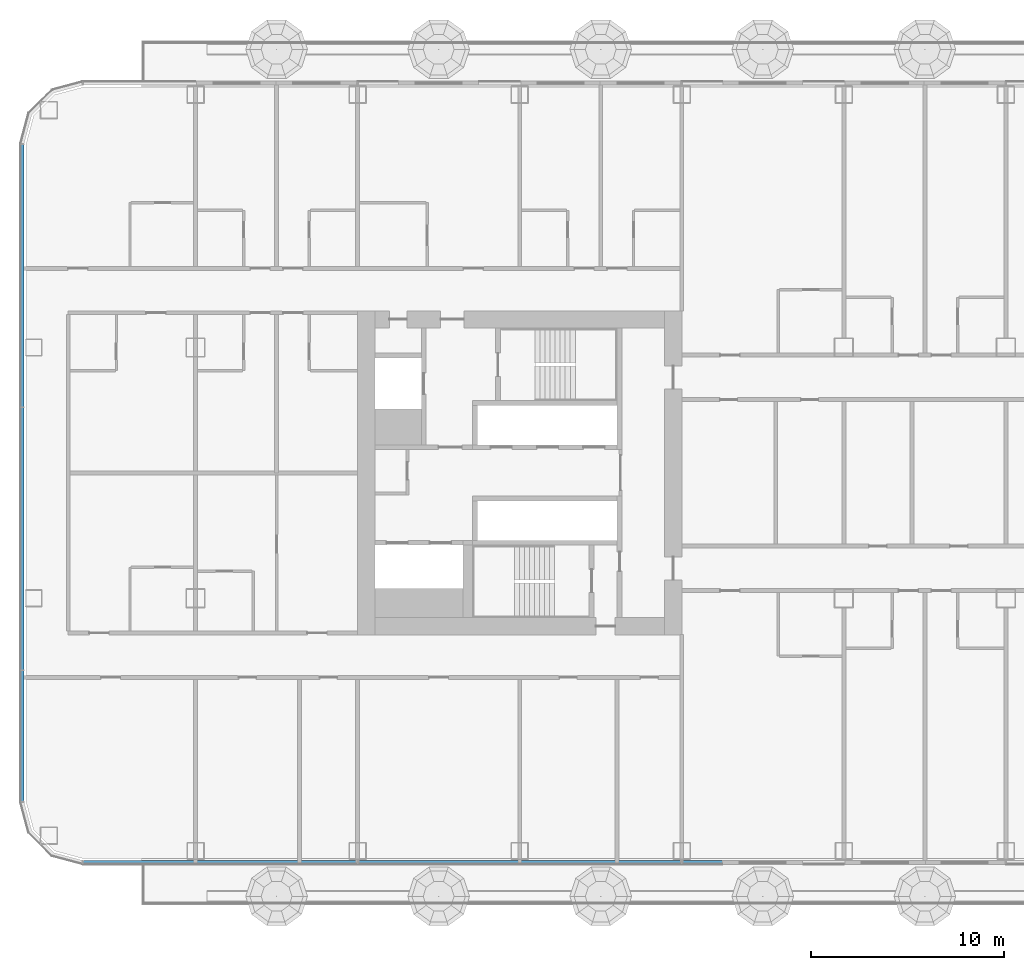
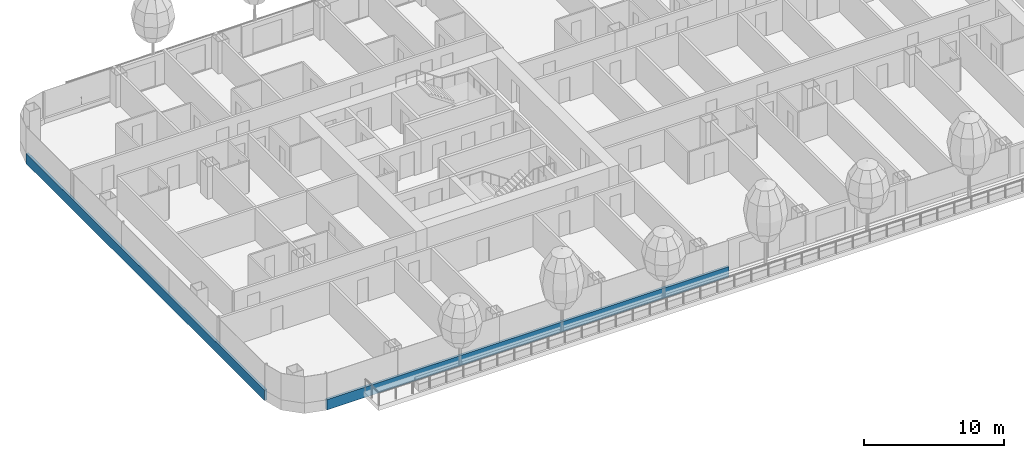
# One storey, part 3 of 36: 2 members, 2 elements without a shape of their own.
"""IFC4 building model written with IfcOpenShell, lengths in metres."""

from ifc_helpers import new_model, si_unit, direction, frame, origin, origin_2d, place, context, subcontext, project, spatial, rectangle, extrude, material, layer, layer_set, material_profile, profile_set, type_object, element, aggregate, save


model = new_model("IFC4")

# Units and contexts
model_context = context("Model", 3, precision=1e-05, world=origin(), true_north=direction((0.0, 1.0)))
body_context = subcontext(model_context, "Body", "Model", "MODEL_VIEW")
ifc_project = project(units=[si_unit("LENGTHUNIT", "METRE"), si_unit("AREAUNIT", "SQUARE_METRE"), si_unit("VOLUMEUNIT", "CUBIC_METRE"), si_unit("PLANEANGLEUNIT", "RADIAN"), si_unit("MASSUNIT", "GRAM", prefix="KILO")], contexts=[model_context])

# Site, building, storey
site_placement = place(None, origin())
site = spatial("IfcSite", under=ifc_project, at=site_placement, CompositionType="ELEMENT")
building_placement = place(site_placement, origin())
building = spatial("IfcBuilding", under=site, at=building_placement, Name="Hakoniwa Tower and Hamabe Station Hall", CompositionType="ELEMENT")
storey_placement = place(building_placement, frame((0.0, 0.0, 26.199951171875)))
storey = spatial("IfcBuildingStorey", under=building, at=storey_placement, Name="L06", CompositionType="ELEMENT", Elevation=26.199951171875)

# Curtain wall, member
ifc_material_1 = material(Name="Dark low-e laminated glass", Category="glass")
ifc_layer = layer(ifc_material_1, 0.199951171875)
ifc_layer_set = layer_set([ifc_layer], Name="CW-1 UNITISED GUEST")
curtain_wall_type = type_object("IfcCurtainWallType", Name="CW-1 UNITISED GUEST", PredefinedType="NOTDEFINED", material=ifc_layer_set)
curtain_wall_1_placement = place(storey_placement, origin())
curtain_wall_1 = element("IfcCurtainWall", 1, at=curtain_wall_1_placement, inside=storey, type_object=curtain_wall_type, Name="CW-1 curtain wall", PredefinedType="NOTDEFINED")
ifc_material_2 = material(Name="Aluminium 6063-T5 black anodised", Category="aluminium")
ifc_material_profile = material_profile(ifc_material_2, rectangle(XDim=0.199951171875, YDim=0.89990234375, at=origin_2d()), Name="CW SLAB-EDGE BAND 900X200")
ifc_profile_set = profile_set([ifc_material_profile], Name="Aluminium 6063-T5 black anodised")
member_type = type_object("IfcMemberType", Name="CW SLAB-EDGE BAND 900X200", PredefinedType="USERDEFINED", material=ifc_profile_set)
member_1_placement = place(storey_placement, frame((-51.0, 17.03955078125, -0.099853515625), z_axis=(0.0, -1.0, 0.0), x_axis=(1.0, 0.0, 0.0)))
member_1 = element("IfcMember", 2, at=member_1_placement, type_object=member_type, Name="CW-1 transom", ObjectType="TRANSOM", PredefinedType="USERDEFINED", context=body_context, shape_type="SweptSolid", body=[
    extrude(rectangle(XDim=0.199951171875, YDim=0.89990234375, at=origin_2d()), origin(), (0.0, 0.0, 1.0), 34.0791015625),
])
aggregate(curtain_wall_1, [member_1])

curtain_wall_2_placement = place(storey_placement, origin())
curtain_wall_2 = element("IfcCurtainWall", 3, at=curtain_wall_2_placement, inside=storey, type_object=curtain_wall_type, Name="CW-1 curtain wall", PredefinedType="NOTDEFINED")
member_2_placement = place(storey_placement, frame((-47.839599609375, -20.199951171875, -0.099853515625), z_axis=(1.0, 0.0, 0.0), x_axis=(0.0, 1.0, 0.0)))
member_2 = element("IfcMember", 4, at=member_2_placement, type_object=member_type, Name="CW-1 transom", ObjectType="TRANSOM", PredefinedType="USERDEFINED", context=body_context, shape_type="SweptSolid", body=[
    extrude(rectangle(XDim=0.199951171875, YDim=0.89990234375, at=origin_2d()), origin(), (0.0, 0.0, 1.0), 33.169677734375),
])
aggregate(curtain_wall_2, [member_2])

save(model, "model.ifc")
